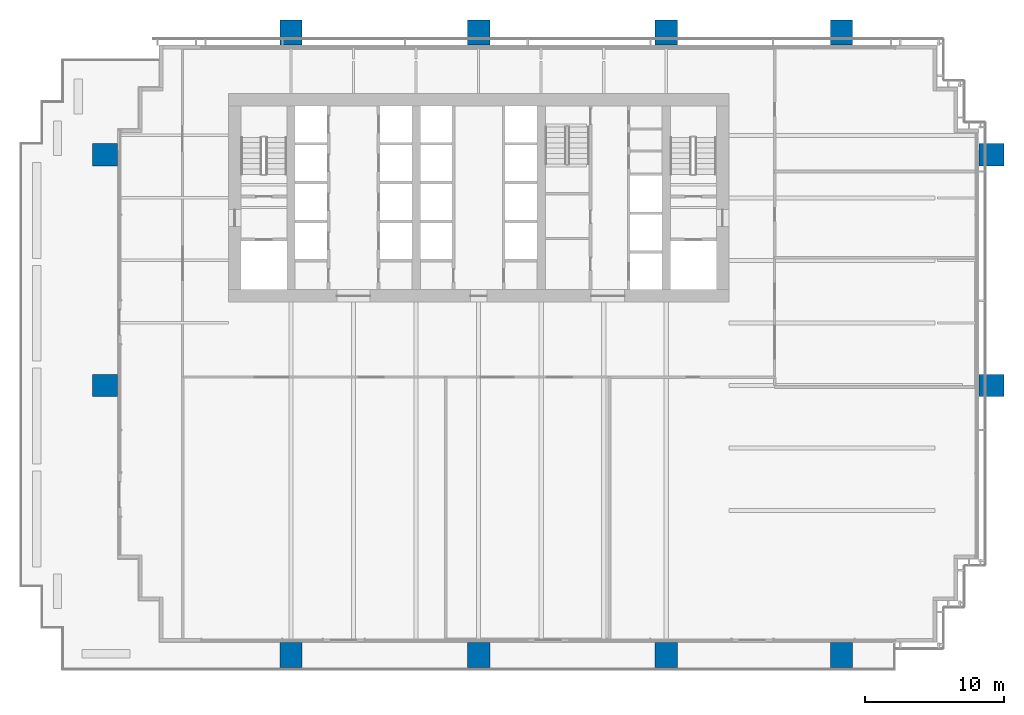
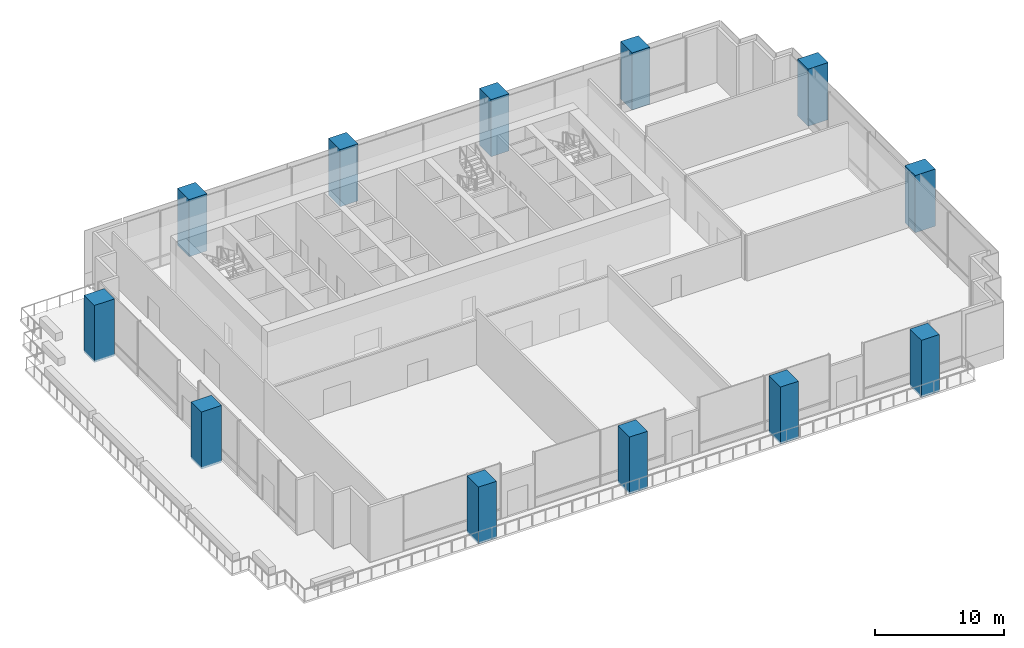
# One storey, part 1 of 15: 12 columns.
"""IFC4 building model written with IfcOpenShell, lengths in metres."""

import ifcopenshell
import ifcopenshell.guid

model = None  # the IFC model being written
_history = None  # IfcOwnerHistory: only IFC2X3 demands one
_inside = {}  # id of a spatial element -> (the spatial element, [elements in it])
_under = {}  # id of a project, library or spatial element -> (it, [spatial elements below it])
_declared = {}  # id of a project -> (the project, [libraries it declares])
_typed = {}  # id of a type object -> (the type object, [elements of that type])
_made_of = {}  # id of a material, layer set ... -> (it, [elements and type objects made of it])


def new_model(schema):
    """Start an empty IFC model of exactly this schema.

    Asked for "IFC4X3", IfcOpenShell would pick the latest addendum, in which some entities
    have other attributes; the version numbers below select the first issue.
    IFC2X3 requires an IfcOwnerHistory on every rooted entity: one is made here for all.
    """
    global model, _history
    if schema == "IFC4X3":
        model = ifcopenshell.file(schema_version=(4, 3, 0, 0))
    else:
        model = ifcopenshell.file(schema=schema)
    _inside.clear()
    _under.clear()
    _declared.clear()
    _typed.clear()
    _made_of.clear()
    _history = None
    if model.schema == "IFC2X3":
        org = make("IfcOrganization", Name="unknown")
        user = make(
            "IfcPersonAndOrganization",
            ThePerson=make("IfcPerson", FamilyName="unknown"),
            TheOrganization=org,
        )
        app = make(
            "IfcApplication",
            ApplicationDeveloper=org,
            Version="unknown",
            ApplicationFullName="unknown",
            ApplicationIdentifier="unknown",
        )
        _history = make(
            "IfcOwnerHistory",
            OwningUser=user,
            OwningApplication=app,
            ChangeAction="ADDED",
            CreationDate=0,
        )
    return model


def make(cls, **values):
    """One entity of the class cls with the attributes given. An attribute that is None is left unset."""
    return model.create_entity(
        cls, **{name: value for name, value in values.items() if value is not None}
    )


def rooted(cls, **values):
    """An entity with a GlobalId (a new one), such as an element, a storey or a relation."""
    return make(cls, GlobalId=ifcopenshell.guid.new(), OwnerHistory=_history, **values)


def si_unit(unit_type, name, prefix=None):
    """IfcSIUnit, for example si_unit("LENGTHUNIT", "METRE", prefix="MILLI")."""
    return make("IfcSIUnit", UnitType=unit_type, Prefix=prefix, Name=name)


def assignment(units):
    """IfcUnitAssignment: the units of a project."""
    return None if units is None else make("IfcUnitAssignment", Units=units)


def point(xyz):
    """IfcCartesianPoint."""
    return None if xyz is None else make("IfcCartesianPoint", Coordinates=xyz)


def direction(xyz):
    """IfcDirection."""
    return None if xyz is None else make("IfcDirection", DirectionRatios=xyz)


def frame(location, z_axis=None, x_axis=None):
    """IfcAxis2Placement3D, a coordinate frame: its origin and axes. An axis left out is left unset."""
    return make(
        "IfcAxis2Placement3D",
        Location=point(location),
        Axis=direction(z_axis),
        RefDirection=direction(x_axis),
    )


def frame_2d(location, x_axis=None):
    """IfcAxis2Placement2D, a coordinate frame in the plane: its origin and x axis."""
    return make(
        "IfcAxis2Placement2D", Location=point(location), RefDirection=direction(x_axis)
    )


def origin():
    """The frame at (0, 0, 0) with its axes left unset."""
    return frame((0.0, 0.0, 0.0))


def origin_2d():
    """The frame at (0, 0) in the plane with its x axis left unset."""
    return frame_2d((0.0, 0.0))


def place(relative_to, where):
    """IfcLocalPlacement: puts the frame where relative to a parent placement (None: the world)."""
    return make(
        "IfcLocalPlacement", PlacementRelTo=relative_to, RelativePlacement=where
    )


def context(
    kind, dimensions, precision=None, world=None, true_north=None, identifier=None
):
    """IfcGeometricRepresentationContext, for example the 3D "Model" context."""
    return make(
        "IfcGeometricRepresentationContext",
        ContextIdentifier=identifier,
        ContextType=kind,
        CoordinateSpaceDimension=dimensions,
        Precision=precision,
        WorldCoordinateSystem=world,
        TrueNorth=true_north,
    )


def subcontext(parent, identifier, kind, view, scale=None):
    """IfcGeometricRepresentationSubContext, for example "Body" below "Model"."""
    return make(
        "IfcGeometricRepresentationSubContext",
        ContextIdentifier=identifier,
        ContextType=kind,
        ParentContext=parent,
        TargetScale=scale,
        TargetView=view,
    )


def project(units=None, contexts=None):
    """IfcProject with its units and contexts."""
    return rooted(
        "IfcProject",
        Name="project",
        RepresentationContexts=contexts,
        UnitsInContext=assignment(units),
    )


def spatial(cls, under=None, at=None, **own):
    """A site, building, storey or space (cls), placed at a placement, below another one or the project."""
    s = rooted(cls, ObjectPlacement=at, **own)
    if under is not None:
        _under.setdefault(under.id(), (under, []))[1].append(s)
    return s


def profile(cls, at=None, kind="AREA", **sizes):
    """A parametric profile (cls). Its sizes go by their IFC names, for example OverallWidth=200.0."""
    return make(cls, ProfileType=kind, Position=at, **sizes)


def rectangle(**sizes):
    """IfcRectangleProfileDef."""
    return profile("IfcRectangleProfileDef", **sizes)


def extrude(swept, where, along, depth):
    """IfcExtrudedAreaSolid: the profile swept, set in the frame where, extruded along a direction by depth."""
    return make(
        "IfcExtrudedAreaSolid",
        SweptArea=swept,
        Position=where,
        ExtrudedDirection=direction(along),
        Depth=depth,
    )


def shape(context_of_items, identifier, shape_type, items):
    """IfcShapeRepresentation: the items that make up one representation, for example the "Body"."""
    return make(
        "IfcShapeRepresentation",
        ContextOfItems=context_of_items,
        RepresentationIdentifier=identifier,
        RepresentationType=shape_type,
        Items=items,
    )


def material(Name=None, Category=None):
    """IfcMaterial."""
    return make("IfcMaterial", Name=Name, Category=Category)


def material_profile(
    of_material, cross_section, Name=None, Category=None, Priority=None
):
    """IfcMaterialProfile: a cross section and its material."""
    return make(
        "IfcMaterialProfile",
        Name=Name,
        Material=of_material,
        Profile=cross_section,
        Priority=Priority,
        Category=Category,
    )


def profile_set(profiles, Name=None, composite=None):
    """IfcMaterialProfileSet."""
    return make(
        "IfcMaterialProfileSet",
        Name=Name,
        MaterialProfiles=profiles,
        CompositeProfile=composite,
    )


def made_of(thing, what):
    """Note that an element or type object is made of a material, layer set ...; save() writes the relation."""
    if what is not None:
        _made_of.setdefault(what.id(), (what, []))[1].append(thing)
    return thing


def type_object(cls, material=None, **own):
    """A type object (cls), such as IfcWallType, which elements share."""
    return made_of(rooted(cls, **own), material)


def element(
    cls,
    number,
    at=None,
    inside=None,
    cuts=None,
    type_object=None,
    material=None,
    context=None,
    identifier="Body",
    shape_type=None,
    held_by="IfcProductDefinitionShape",
    body=None,
    shapes=None,
    **own,
):
    """One element of the class cls, such as IfcWall. Its Tag is "e" and its number.

    at: its placement. inside: the storey or other place that contains it. cuts: it is an
    opening in that element (IfcRelVoidsElement). A single representation is given by context,
    identifier, shape_type and body (its items); several are given by shapes. held_by: the class
    of the entity that holds the representations. save() writes the other relations.
    """
    e = rooted(cls, Tag="e%d" % number, ObjectPlacement=at, **own)
    if body is not None:
        shapes = [shape(context, identifier, shape_type, body)]
    if shapes is not None:
        e.Representation = make(held_by, Representations=shapes)
    if inside is not None:
        _inside.setdefault(inside.id(), (inside, []))[1].append(e)
    if cuts is not None:
        rooted(
            "IfcRelVoidsElement", RelatingBuildingElement=cuts, RelatedOpeningElement=e
        )
    if type_object is not None:
        _typed.setdefault(type_object.id(), (type_object, []))[1].append(e)
    return made_of(e, material)


def aggregate(whole, parts):
    """IfcRelAggregates: a whole, such as a stair, and the parts it consists of."""
    return rooted("IfcRelAggregates", RelatingObject=whole, RelatedObjects=parts)


def save(model, path):
    """Write the relations noted so far, then the file.

    IfcRelAggregates (storeys below a building ...), IfcRelContainedInSpatialStructure (elements
    in a storey), IfcRelDefinesByType, IfcRelAssociatesMaterial and IfcRelDeclares: one each for
    every whole, place, type object, material and project.
    """
    for whole, parts in _under.values():
        aggregate(whole, parts)
    for where, things in _inside.values():
        rooted(
            "IfcRelContainedInSpatialStructure",
            RelatedElements=things,
            RelatingStructure=where,
        )
    for kind, things in _typed.values():
        rooted("IfcRelDefinesByType", RelatedObjects=things, RelatingType=kind)
    for what, things in _made_of.values():
        rooted("IfcRelAssociatesMaterial", RelatedObjects=things, RelatingMaterial=what)
    for by, libraries in _declared.values():
        rooted("IfcRelDeclares", RelatingContext=by, RelatedDefinitions=libraries)
    model.write(path)


model = new_model("IFC4")

# Units and contexts
model_context = context("Model", 3, precision=1e-05, world=origin(), true_north=direction((0.0, 1.0)))
body_context = subcontext(model_context, "Body", "Model", "MODEL_VIEW")
ifc_project = project(units=[si_unit("LENGTHUNIT", "METRE"), si_unit("AREAUNIT", "SQUARE_METRE"), si_unit("VOLUMEUNIT", "CUBIC_METRE"), si_unit("PLANEANGLEUNIT", "RADIAN"), si_unit("MASSUNIT", "GRAM", prefix="KILO")], contexts=[model_context])

# Site, building, storey
site_placement = place(None, origin())
site = spatial("IfcSite", under=ifc_project, at=site_placement, CompositionType="ELEMENT")
building_placement = place(site_placement, origin())
building = spatial("IfcBuilding", under=site, at=building_placement, Name="Rattan Terrace Tower", CompositionType="ELEMENT")
storey_placement = place(building_placement, frame((0.0, 0.0, 74.300048828125)))
storey = spatial("IfcBuildingStorey", under=building, at=storey_placement, Name="L16", CompositionType="ELEMENT", Elevation=74.300048828125)

# Columns
ifc_material = material(Name="Concrete C60/75", Category="concrete")
ifc_material_profile = material_profile(ifc_material, rectangle(XDim=1.60009765625, YDim=1.800048828125, at=origin_2d()), Name="CFT 1800x1600")
ifc_profile_set = profile_set([ifc_material_profile], Name="Concrete C60/75")
column_type = type_object("IfcColumnType", Name="Frame exoskeleton column CFT 1800x1600", PredefinedType="COLUMN", material=ifc_profile_set)
for number, where, z_axis, x_axis, name in (
    (1, (-13.5, -32.89990234375, -0.199951171875), (0.0, 0.0, 1.0), (1.0, 0.0, 0.0), "exo-L16-001"),
    (2, (0.0, -32.89990234375, -0.199951171875), (0.0, 0.0, 1.0), (1.0, 0.0, 0.0), "exo-L16-002"),
    (3, (13.5, -32.89990234375, -0.199951171875), (0.0, 0.0, 1.0), (1.0, 0.0, 0.0), "exo-L16-003"),
    (4, (26.10009765625, -32.89990234375, -0.199951171875), (0.0, 0.0, 1.0), (1.0, 0.0, 0.0), "exo-L16-004"),
    (5, (-26.89990234375, -13.5, -0.199951171875), (0.0, 0.0, 1.0), (0.0, 1.0, 0.0), "exo-L16-005"),
    (6, (36.89990234375, -13.5, -0.199951171875), (0.0, 0.0, 1.0), (0.0, 1.0, 0.0), "exo-L16-006"),
    (7, (-26.89990234375, 3.10009765625, -0.199951171875), (0.0, 0.0, 1.0), (0.0, 1.0, 0.0), "exo-L16-007"),
    (8, (36.89990234375, 3.10009765625, -0.199951171875), (0.0, 0.0, 1.0), (0.0, 1.0, 0.0), "exo-L16-008"),
    (9, (-13.5, 11.89990234375, -0.199951171875), (0.0, 0.0, 1.0), (1.0, 0.0, 0.0), "exo-L16-009"),
    (10, (0.0, 11.89990234375, -0.199951171875), (0.0, 0.0, 1.0), (1.0, 0.0, 0.0), "exo-L16-010"),
    (11, (13.5, 11.89990234375, -0.199951171875), (0.0, 0.0, 1.0), (1.0, 0.0, 0.0), "exo-L16-011"),
    (12, (26.10009765625, 11.89990234375, -0.199951171875), (0.0, 0.0, 1.0), (1.0, 0.0, 0.0), "exo-L16-012"),
):
    element("IfcColumn", number, at=place(storey_placement, frame(where, z_axis=z_axis, x_axis=x_axis)), inside=storey, type_object=column_type, Name=name, PredefinedType="COLUMN", context=body_context, shape_type="SweptSolid", body=[
        extrude(rectangle(XDim=1.60009765625, YDim=1.800048828125, at=origin_2d()), origin(), (0.0, 0.0, 1.0), 5.39990234375),
    ])

save(model, "model.ifc")
